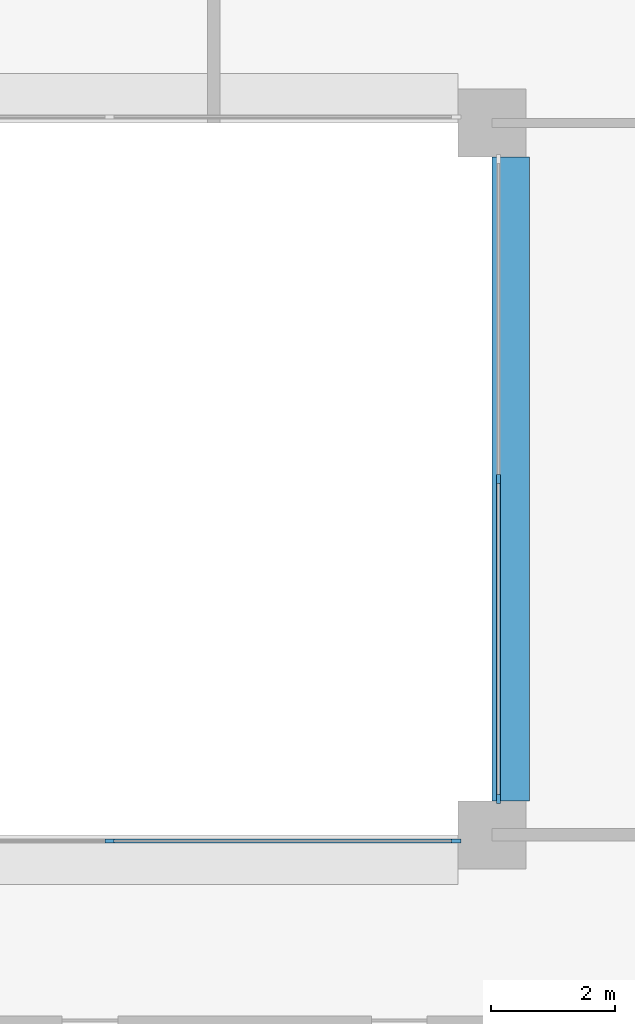
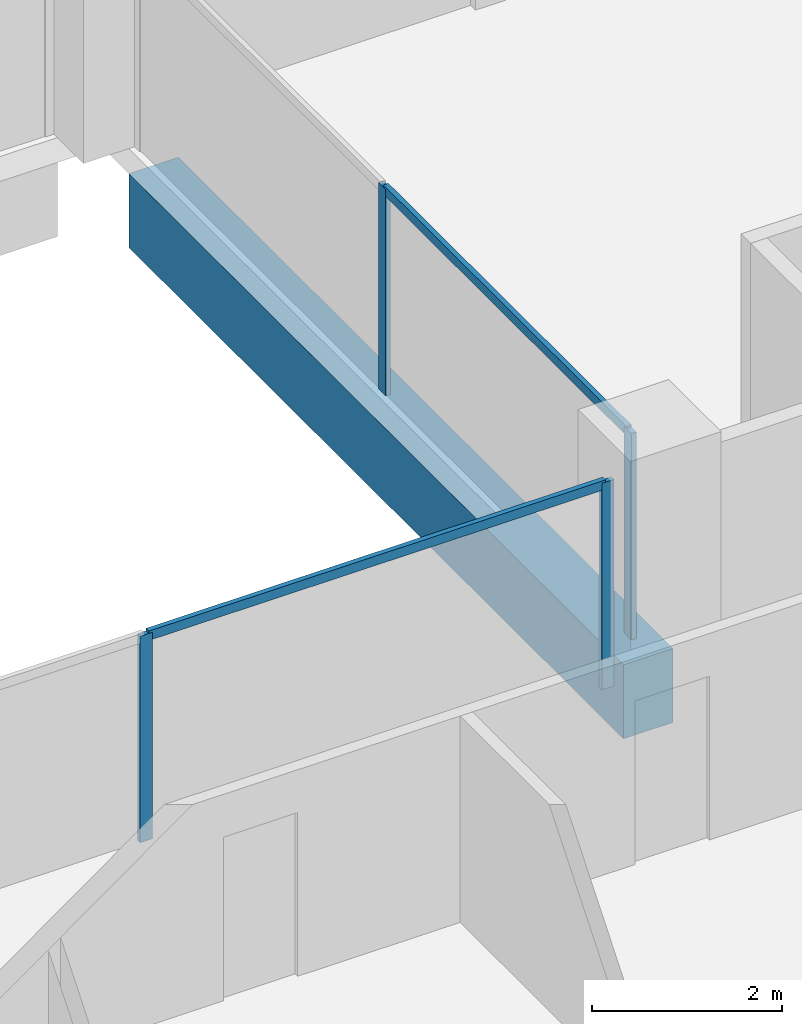
# One storey, part 4 of 16: 6 members, 1 beam, 2 elements without a shape of their own.
"""IFC4 building model written with IfcOpenShell, lengths in metres."""

from ifc_helpers import new_model, si_unit, direction, frame, origin, origin_2d, place, context, subcontext, project, spatial, rectangle, extrude, material, layer, layer_set, material_profile, profile_set, type_object, element, aggregate, save


model = new_model("IFC4")

# Units and contexts
model_context = context("Model", 3, precision=1e-05, world=origin(), true_north=direction((0.0, 1.0)))
body_context = subcontext(model_context, "Body", "Model", "MODEL_VIEW")
ifc_project = project(units=[si_unit("LENGTHUNIT", "METRE"), si_unit("AREAUNIT", "SQUARE_METRE"), si_unit("VOLUMEUNIT", "CUBIC_METRE"), si_unit("PLANEANGLEUNIT", "RADIAN"), si_unit("MASSUNIT", "GRAM", prefix="KILO")], contexts=[model_context])

# Site, building, storey
site_placement = place(None, origin())
site = spatial("IfcSite", under=ifc_project, at=site_placement, CompositionType="ELEMENT")
building_placement = place(site_placement, origin())
building = spatial("IfcBuilding", under=site, at=building_placement, Name="Brigalow Station Residences", CompositionType="ELEMENT")
storey_placement = place(building_placement, frame((0.0, 0.0, 182.25)))
storey = spatial("IfcBuildingStorey", under=building, at=storey_placement, Name="L53", CompositionType="ELEMENT", Elevation=182.25)

# Beam
ifc_material_1 = material(Name="Concrete C65", Category="concrete")
ifc_material_profile_1 = material_profile(ifc_material_1, rectangle(XDim=0.60009765625, YDim=0.949951171875, at=origin_2d()), Name="RC600x950")
ifc_profile_set_1 = profile_set([ifc_material_profile_1], Name="Concrete C65")
beam_type = type_object("IfcBeamType", Name="ATRIUM EDGE GIRDER 600x950 C65", PredefinedType="BEAM", material=ifc_profile_set_1)
beam_placement = place(storey_placement, frame((45.300048828125, 24.550048828125, -0.794921875), z_axis=(0.0, 1.0, 0.0), x_axis=(-1.0, 0.0, 0.0)))
element("IfcBeam", 1, at=beam_placement, inside=storey, type_object=beam_type, Name="ATRIUM EDGE GIRDER 5 L53", PredefinedType="BEAM", context=body_context, shape_type="SweptSolid", body=[
    extrude(rectangle(XDim=0.60009765625, YDim=0.949951171875, at=origin_2d()), origin(), (0.0, 0.0, 1.0), 10.39990234375),
])

# Curtain wall, members
ifc_material_2 = material(Name="Aluminium", Category="aluminium")
ifc_layer = layer(ifc_material_2, 0.14990234375)
ifc_layer_set = layer_set([ifc_layer], Name="ATRIUM FIRE-RATED GLAZING CURTAIN WALL")
curtain_wall_type = type_object("IfcCurtainWallType", Name="ATRIUM FIRE-RATED GLAZING CURTAIN WALL", PredefinedType="NOTDEFINED", material=ifc_layer_set)
curtain_wall_1_placement = place(storey_placement, origin())
curtain_wall_1 = element("IfcCurtainWall", 2, at=curtain_wall_1_placement, inside=storey, type_object=curtain_wall_type, Name="L53/cw/atrium-S", PredefinedType="NOTDEFINED")
ifc_material_3 = material(Name="Aluminium", Category="aluminium")
ifc_material_profile_2 = material_profile(ifc_material_3, rectangle(XDim=0.06005859375, YDim=0.14990234375, at=origin_2d()), Name="ATRIUM FIRE-RATED GLAZING MULLION 60x150")
ifc_profile_set_2 = profile_set([ifc_material_profile_2], Name="Aluminium")
member_type_1 = type_object("IfcMemberType", Name="ATRIUM FIRE-RATED GLAZING MULLION 60x150", PredefinedType="MULLION", material=ifc_profile_set_2)
member_1_placement = place(storey_placement, frame((38.816650390625, 23.89990234375, 0.0), z_axis=(0.0, 0.0, 1.0), x_axis=(0.0, 1.0, 0.0)))
member_1 = element("IfcMember", 3, at=member_1_placement, type_object=member_type_1, Name="L53/cw/atrium-S/M02", PredefinedType="MULLION", context=body_context, shape_type="SweptSolid", body=[
    extrude(rectangle(XDim=0.06005859375, YDim=0.14990234375, at=origin_2d()), origin(), (0.0, 0.0, 1.0), 2.64990234375),
])
member_2_placement = place(storey_placement, frame((44.419921875, 23.89990234375, 0.0), z_axis=(0.0, 0.0, 1.0), x_axis=(0.0, 1.0, 0.0)))
member_2 = element("IfcMember", 4, at=member_2_placement, type_object=member_type_1, Name="L53/cw/atrium-S/M03", PredefinedType="MULLION", context=body_context, shape_type="SweptSolid", body=[
    extrude(rectangle(XDim=0.06005859375, YDim=0.14990234375, at=origin_2d()), origin(), (0.0, 0.0, 1.0), 2.64990234375),
])

curtain_wall_2_placement = place(storey_placement, origin())
curtain_wall_2 = element("IfcCurtainWall", 5, at=curtain_wall_2_placement, inside=storey, type_object=curtain_wall_type, Name="L53/cw/atrium-E", PredefinedType="NOTDEFINED")
member_3_placement = place(storey_placement, frame((45.10009765625, 24.580078125, 0.0), z_axis=(0.0, 0.0, 1.0), x_axis=(-1.0, 0.0, 0.0)))
member_3 = element("IfcMember", 6, at=member_3_placement, type_object=member_type_1, Name="L53/cw/atrium-E/M00", PredefinedType="MULLION", context=body_context, shape_type="SweptSolid", body=[
    extrude(rectangle(XDim=0.06005859375, YDim=0.14990234375, at=origin_2d()), origin(), (0.0, 0.0, 1.0), 2.64990234375),
])
member_4_placement = place(storey_placement, frame((45.10009765625, 29.75, 0.0), z_axis=(0.0, 0.0, 1.0), x_axis=(-1.0, 0.0, 0.0)))
member_4 = element("IfcMember", 7, at=member_4_placement, type_object=member_type_1, Name="L53/cw/atrium-E/M01", PredefinedType="MULLION", context=body_context, shape_type="SweptSolid", body=[
    extrude(rectangle(XDim=0.06005859375, YDim=0.14990234375, at=origin_2d()), origin(), (0.0, 0.0, 1.0), 2.64990234375),
])

# Member
ifc_material_4 = material(Name="Aluminium", Category="aluminium")
ifc_material_profile_3 = material_profile(ifc_material_4, rectangle(XDim=0.06005859375, YDim=0.1201171875, at=origin_2d()), Name="ATRIUM FIRE-RATED GLAZING TRANSOM 60x120")
ifc_profile_set_3 = profile_set([ifc_material_profile_3], Name="Aluminium")
member_type_2 = type_object("IfcMemberType", Name="ATRIUM FIRE-RATED GLAZING TRANSOM 60x120", PredefinedType="USERDEFINED", material=ifc_profile_set_3)
member_5_placement = place(storey_placement, frame((38.8466796875, 23.89990234375, 2.6201171875), z_axis=(1.0, 0.0, 0.0), x_axis=(0.0, 1.0, 0.0)))
member_5 = element("IfcMember", 8, at=member_5_placement, type_object=member_type_2, Name="L53/cw/atrium-S/T02-00", ObjectType="TRANSOM", PredefinedType="USERDEFINED", context=body_context, shape_type="SweptSolid", body=[
    extrude(rectangle(XDim=0.06005859375, YDim=0.1201171875, at=origin_2d()), origin(), (0.0, 0.0, 1.0), 5.543212890625),
])

aggregate(curtain_wall_1, [member_1, member_2, member_5])

member_6_placement = place(storey_placement, frame((45.10009765625, 24.610107421875, 2.6201171875), z_axis=(0.0, 1.0, 0.0), x_axis=(-1.0, 0.0, 0.0)))
member_6 = element("IfcMember", 9, at=member_6_placement, type_object=member_type_2, Name="L53/cw/atrium-E/T00-00", ObjectType="TRANSOM", PredefinedType="USERDEFINED", context=body_context, shape_type="SweptSolid", body=[
    extrude(rectangle(XDim=0.06005859375, YDim=0.1201171875, at=origin_2d()), origin(), (0.0, 0.0, 1.0), 5.10986328125),
])

aggregate(curtain_wall_2, [member_3, member_4, member_6])

save(model, "model.ifc")
